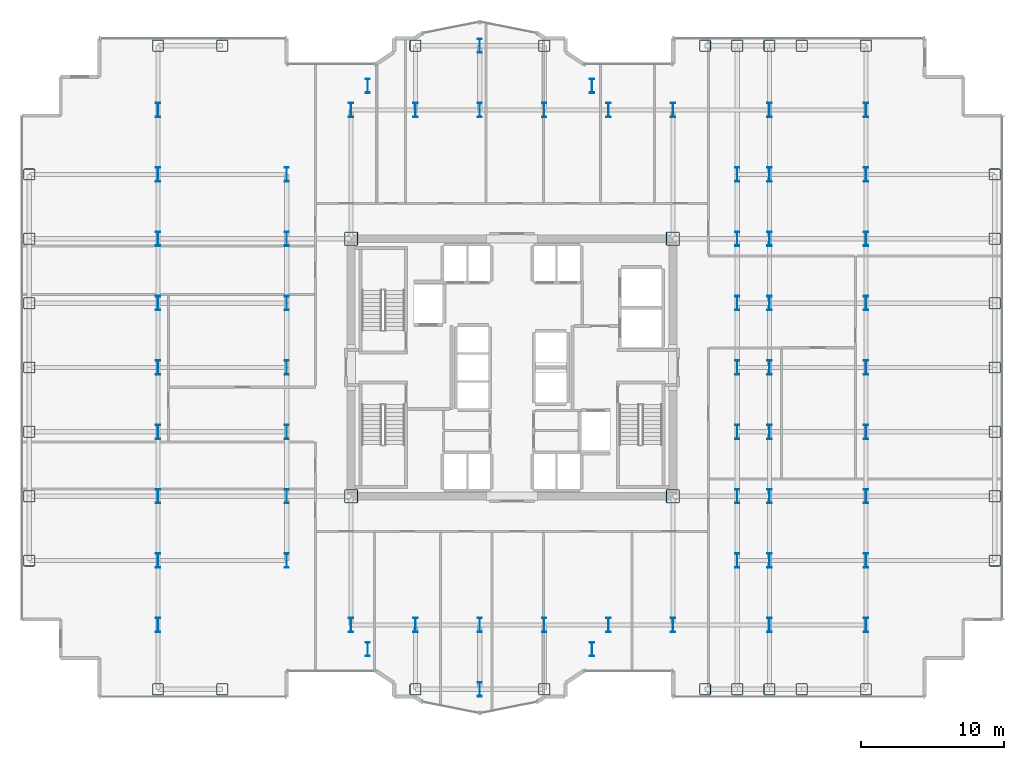
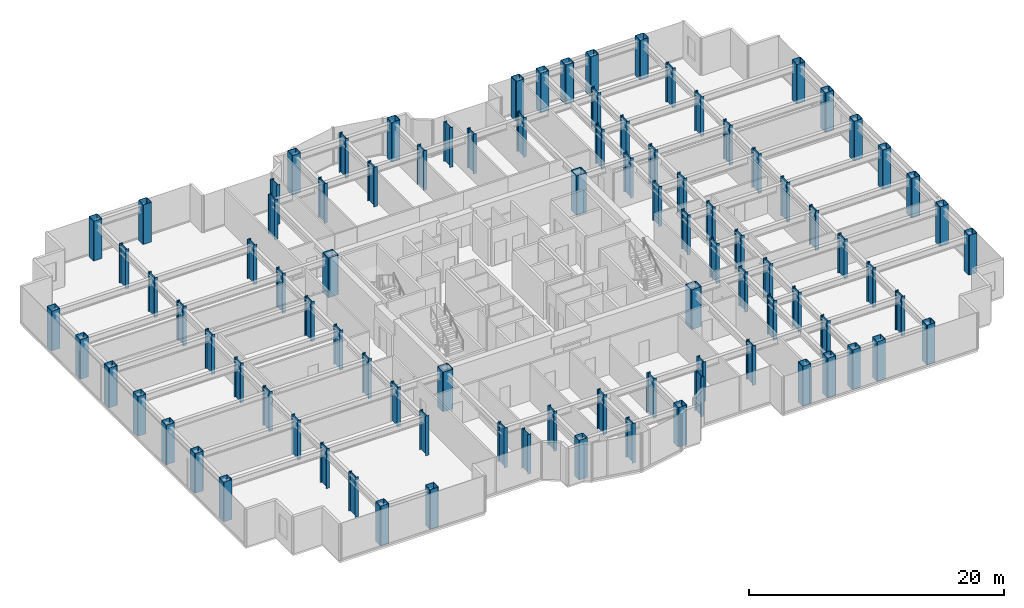
# One storey, part 1 of 26: 95 columns.
"""IFC4 building model written with IfcOpenShell, lengths in metres."""

from ifc_helpers import new_model, si_unit, direction, frame, origin, origin_2d, place, context, subcontext, project, spatial, hollow_rectangle, i_section, extrude, source, transform, mapped, material, material_profile, profile_set, type_object, element, save


model = new_model("IFC4")

# Units and contexts
model_context = context("Model", 3, precision=1e-05, world=origin(), true_north=direction((0.0, 1.0)))
body_context = subcontext(model_context, "Body", "Model", "MODEL_VIEW")
ifc_project = project(units=[si_unit("LENGTHUNIT", "METRE"), si_unit("AREAUNIT", "SQUARE_METRE"), si_unit("VOLUMEUNIT", "CUBIC_METRE"), si_unit("PLANEANGLEUNIT", "RADIAN"), si_unit("MASSUNIT", "GRAM", prefix="KILO")], contexts=[model_context])

# Site, building, storey
site_placement = place(None, origin())
site = spatial("IfcSite", under=ifc_project, at=site_placement, CompositionType="ELEMENT")
building_placement = place(site_placement, origin())
building = spatial("IfcBuilding", under=site, at=building_placement, Name="Nefas-Gora Pilgrimage Tower", CompositionType="ELEMENT")
storey_placement = place(building_placement, frame((0.0, 0.0, 121.199951171875)))
storey = spatial("IfcBuildingStorey", under=building, at=storey_placement, Name="L29", CompositionType="ELEMENT", Elevation=121.199951171875)

# Columns
ifc_material = material(Name="Steel S460", Category="steel")
ifc_material_profile_1 = material_profile(ifc_material, i_section(OverallWidth=0.302001953125, OverallDepth=1.008056640625, WebThickness=0.02099609375, FlangeThickness=0.0400390625, FilletRadius=0.030029296875, at=origin_2d()), Name="HEM 1000")
ifc_profile_set_1 = profile_set([ifc_material_profile_1], Name="Steel S460")
column_type_1 = type_object("IfcColumnType", Name="COL-WEB-HEM1000", PredefinedType="COLUMN", material=ifc_profile_set_1)
shared_shape_1 = source(origin(), body_context, "Body", "SweptSolid", [
    extrude(i_section(OverallWidth=0.302001953125, OverallDepth=1.008056640625, WebThickness=0.02099609375, FlangeThickness=0.0400390625, FilletRadius=0.030029296875, at=origin_2d()), origin(), (0.0, 0.0, 1.0), 3.800048828125),
])
for number, where, z_axis, x_axis, name in (
    (1, (-24.75, -18.0, 0.0), (0.0, 0.0, 1.0), (1.0, 0.0, 0.0), "L29 Tower Column CW-01.9"),
    (2, (-24.75, -13.5, 0.0), (0.0, 0.0, 1.0), (1.0, 0.0, 0.0), "L29 Tower Column CW-01.10"),
    (3, (-24.75, -9.0, 0.0), (0.0, 0.0, 1.0), (1.0, 0.0, 0.0), "L29 Tower Column CW-01.11"),
    (4, (-24.75, -4.5, 0.0), (0.0, 0.0, 1.0), (1.0, 0.0, 0.0), "L29 Tower Column CW-01.12"),
    (5, (-24.75, 0.0, 0.0), (0.0, 0.0, 1.0), (1.0, 0.0, 0.0), "L29 Tower Column CW-01.13"),
    (6, (-24.75, 4.5, 0.0), (0.0, 0.0, 1.0), (1.0, 0.0, 0.0), "L29 Tower Column CW-01.14"),
    (7, (-24.75, 9.0, 0.0), (0.0, 0.0, 1.0), (1.0, 0.0, 0.0), "L29 Tower Column CW-01.15"),
    (8, (-24.75, 13.5, 0.0), (0.0, 0.0, 1.0), (1.0, 0.0, 0.0), "L29 Tower Column CW-01.16"),
    (9, (-24.75, 18.0, 0.0), (0.0, 0.0, 1.0), (1.0, 0.0, 0.0), "L29 Tower Column CW-01.17"),
    (10, (-15.75, -13.5, 0.0), (0.0, 0.0, 1.0), (1.0, 0.0, 0.0), "L29 Tower Column CW-01.21"),
    (11, (-15.75, -9.0, 0.0), (0.0, 0.0, 1.0), (1.0, 0.0, 0.0), "L29 Tower Column CW-01.22"),
    (12, (-15.75, -4.5, 0.0), (0.0, 0.0, 1.0), (1.0, 0.0, 0.0), "L29 Tower Column CW-01.23"),
    (13, (-15.75, 0.0, 0.0), (0.0, 0.0, 1.0), (1.0, 0.0, 0.0), "L29 Tower Column CW-01.24"),
    (14, (-15.75, 4.5, 0.0), (0.0, 0.0, 1.0), (1.0, 0.0, 0.0), "L29 Tower Column CW-01.25"),
    (15, (-15.75, 9.0, 0.0), (0.0, 0.0, 1.0), (1.0, 0.0, 0.0), "L29 Tower Column CW-01.26"),
    (16, (-15.75, 13.5, 0.0), (0.0, 0.0, 1.0), (1.0, 0.0, 0.0), "L29 Tower Column CW-01.27"),
    (17, (-11.25, -18.0, 0.0), (0.0, 0.0, 1.0), (1.0, 0.0, 0.0), "L29 Tower Column CW-01.28"),
    (18, (-11.25, 18.0, 0.0), (0.0, 0.0, 1.0), (1.0, 0.0, 0.0), "L29 Tower Column CW-01.31"),
    (19, (-10.091064453125, -19.696044921875, 0.0), (0.0, 0.0, 1.0), (1.0, 0.0, 0.0), "L29 Tower Column CW-01.32"),
    (20, (-10.091064453125, 19.696044921875, 0.0), (0.0, 0.0, 1.0), (1.0, 0.0, 0.0), "L29 Tower Column CW-01.33"),
    (21, (-6.75, -18.0, 0.0), (0.0, 0.0, 1.0), (1.0, 0.0, 0.0), "L29 Tower Column CW-01.35"),
    (22, (-6.75, 18.0, 0.0), (0.0, 0.0, 1.0), (1.0, 0.0, 0.0), "L29 Tower Column CW-01.36"),
    (23, (-2.25, -22.5, 0.0), (0.0, 0.0, 1.0), (1.0, 0.0, 0.0), "L29 Tower Column CW-01.38"),
    (24, (-2.25, -18.0, 0.0), (0.0, 0.0, 1.0), (1.0, 0.0, 0.0), "L29 Tower Column CW-01.39"),
    (25, (-2.25, 18.0, 0.0), (0.0, 0.0, 1.0), (1.0, 0.0, 0.0), "L29 Tower Column CW-01.40"),
    (26, (-2.25, 22.5, 0.0), (0.0, 0.0, 1.0), (1.0, 0.0, 0.0), "L29 Tower Column CW-01.41"),
    (27, (2.25, -18.0, 0.0), (0.0, 0.0, 1.0), (1.0, 0.0, 0.0), "L29 Tower Column CW-01.43"),
    (28, (2.25, 18.0, 0.0), (0.0, 0.0, 1.0), (1.0, 0.0, 0.0), "L29 Tower Column CW-01.44"),
    (29, (5.591064453125, -19.696044921875, 0.0), (0.0, 0.0, 1.0), (1.0, 0.0, 0.0), "L29 Tower Column CW-01.46"),
    (30, (5.591064453125, 19.696044921875, 0.0), (0.0, 0.0, 1.0), (1.0, 0.0, 0.0), "L29 Tower Column CW-01.47"),
    (31, (6.75, -18.0, 0.0), (0.0, 0.0, 1.0), (1.0, 0.0, 0.0), "L29 Tower Column CW-01.48"),
    (32, (6.75, 18.0, 0.0), (0.0, 0.0, 1.0), (1.0, 0.0, 0.0), "L29 Tower Column CW-01.49"),
    (33, (11.25, -18.0, 0.0), (0.0, 0.0, 1.0), (1.0, 0.0, 0.0), "L29 Tower Column CW-01.50"),
    (34, (11.25, 18.0, 0.0), (0.0, 0.0, 1.0), (1.0, 0.0, 0.0), "L29 Tower Column CW-01.53"),
    (35, (15.75, -13.5, 0.0), (0.0, 0.0, 1.0), (1.0, 0.0, 0.0), "L29 Tower Column CW-01.57"),
    (36, (15.75, -9.0, 0.0), (0.0, 0.0, 1.0), (1.0, 0.0, 0.0), "L29 Tower Column CW-01.58"),
    (37, (15.75, -4.5, 0.0), (0.0, 0.0, 1.0), (1.0, 0.0, 0.0), "L29 Tower Column CW-01.59"),
    (38, (15.75, 0.0, 0.0), (0.0, 0.0, 1.0), (1.0, 0.0, 0.0), "L29 Tower Column CW-01.60"),
    (39, (15.75, 4.5, 0.0), (0.0, 0.0, 1.0), (1.0, 0.0, 0.0), "L29 Tower Column CW-01.61"),
    (40, (15.75, 9.0, 0.0), (0.0, 0.0, 1.0), (1.0, 0.0, 0.0), "L29 Tower Column CW-01.62"),
    (41, (15.75, 13.5, 0.0), (0.0, 0.0, 1.0), (1.0, 0.0, 0.0), "L29 Tower Column CW-01.63"),
    (42, (18.0, -18.0, 0.0), (0.0, 0.0, 1.0), (1.0, 0.0, 0.0), "L29 Tower Column CW-01.66"),
    (43, (18.0, -13.5, 0.0), (0.0, 0.0, 1.0), (1.0, 0.0, 0.0), "L29 Tower Column CW-01.67"),
    (44, (18.0, -9.0, 0.0), (0.0, 0.0, 1.0), (1.0, 0.0, 0.0), "L29 Tower Column CW-01.68"),
    (45, (18.0, -4.5, 0.0), (0.0, 0.0, 1.0), (1.0, 0.0, 0.0), "L29 Tower Column CW-01.69"),
    (46, (18.0, 0.0, 0.0), (0.0, 0.0, 1.0), (1.0, 0.0, 0.0), "L29 Tower Column CW-01.70"),
    (47, (18.0, 4.5, 0.0), (0.0, 0.0, 1.0), (1.0, 0.0, 0.0), "L29 Tower Column CW-01.71"),
    (48, (18.0, 9.0, 0.0), (0.0, 0.0, 1.0), (1.0, 0.0, 0.0), "L29 Tower Column CW-01.72"),
    (49, (18.0, 13.5, 0.0), (0.0, 0.0, 1.0), (1.0, 0.0, 0.0), "L29 Tower Column CW-01.73"),
    (50, (18.0, 18.0, 0.0), (0.0, 0.0, 1.0), (1.0, 0.0, 0.0), "L29 Tower Column CW-01.74"),
    (51, (24.75, -18.0, 0.0), (0.0, 0.0, 1.0), (1.0, 0.0, 0.0), "L29 Tower Column CW-01.79"),
    (52, (24.75, -13.5, 0.0), (0.0, 0.0, 1.0), (1.0, 0.0, 0.0), "L29 Tower Column CW-01.80"),
    (53, (24.75, -9.0, 0.0), (0.0, 0.0, 1.0), (1.0, 0.0, 0.0), "L29 Tower Column CW-01.81"),
    (54, (24.75, -4.5, 0.0), (0.0, 0.0, 1.0), (1.0, 0.0, 0.0), "L29 Tower Column CW-01.82"),
    (55, (24.75, 0.0, 0.0), (0.0, 0.0, 1.0), (1.0, 0.0, 0.0), "L29 Tower Column CW-01.83"),
    (56, (24.75, 4.5, 0.0), (0.0, 0.0, 1.0), (1.0, 0.0, 0.0), "L29 Tower Column CW-01.84"),
    (57, (24.75, 9.0, 0.0), (0.0, 0.0, 1.0), (1.0, 0.0, 0.0), "L29 Tower Column CW-01.85"),
    (58, (24.75, 13.5, 0.0), (0.0, 0.0, 1.0), (1.0, 0.0, 0.0), "L29 Tower Column CW-01.86"),
    (59, (24.75, 18.0, 0.0), (0.0, 0.0, 1.0), (1.0, 0.0, 0.0), "L29 Tower Column CW-01.87"),
):
    element("IfcColumn", number, at=place(storey_placement, frame(where, z_axis=z_axis, x_axis=x_axis)), inside=storey, type_object=column_type_1, Name=name, PredefinedType="COLUMN", context=body_context, shape_type="MappedRepresentation", body=[
        mapped(shared_shape_1, transform((0.0, 0.0, 0.0), x_axis=(1.0, 0.0, 0.0), y_axis=(0.0, 1.0, 0.0), z_axis=(0.0, 0.0, 1.0), scale=1.0)),
    ])
ifc_material_profile_2 = material_profile(ifc_material, hollow_rectangle(XDim=0.949951171875, YDim=0.949951171875, WallThickness=0.044921875, InnerFilletRadius=0.044921875, OuterFilletRadius=0.090087890625, at=origin_2d()), Name="BOX 950x950x45")
ifc_profile_set_2 = profile_set([ifc_material_profile_2], Name="Steel S460")
column_type_2 = type_object("IfcColumnType", Name="COL-CORE-950", PredefinedType="COLUMN", material=ifc_profile_set_2)
shared_shape_2 = source(origin(), body_context, "Body", "SweptSolid", [
    extrude(hollow_rectangle(XDim=0.949951171875, YDim=0.949951171875, WallThickness=0.044921875, InnerFilletRadius=0.044921875, OuterFilletRadius=0.090087890625, at=origin_2d()), origin(), (0.0, 0.0, 1.0), 3.800048828125),
])
for number, where, z_axis, x_axis, name in (
    (60, (-11.25, -9.0, 0.0), (0.0, 0.0, 1.0), (1.0, 0.0, 0.0), "L29 Tower Column CC-Z1.29"),
    (61, (-11.25, 9.0, 0.0), (0.0, 0.0, 1.0), (1.0, 0.0, 0.0), "L29 Tower Column CC-Z1.30"),
    (62, (11.25, -9.0, 0.0), (0.0, 0.0, 1.0), (1.0, 0.0, 0.0), "L29 Tower Column CC-Z1.51"),
    (63, (11.25, 9.0, 0.0), (0.0, 0.0, 1.0), (1.0, 0.0, 0.0), "L29 Tower Column CC-Z1.52"),
):
    element("IfcColumn", number, at=place(storey_placement, frame(where, z_axis=z_axis, x_axis=x_axis)), inside=storey, type_object=column_type_2, Name=name, PredefinedType="COLUMN", context=body_context, shape_type="MappedRepresentation", body=[
        mapped(shared_shape_2, transform((0.0, 0.0, 0.0), x_axis=(1.0, 0.0, 0.0), y_axis=(0.0, 1.0, 0.0), z_axis=(0.0, 0.0, 1.0), scale=1.0)),
    ])
ifc_material_profile_3 = material_profile(ifc_material, hollow_rectangle(XDim=0.800048828125, YDim=0.800048828125, WallThickness=0.0400390625, InnerFilletRadius=0.0400390625, OuterFilletRadius=0.080078125, at=origin_2d()), Name="BOX 800x800x40")
ifc_profile_set_3 = profile_set([ifc_material_profile_3], Name="Steel S460")
column_type_3 = type_object("IfcColumnType", Name="COL-TUBE-800", PredefinedType="COLUMN", material=ifc_profile_set_3)
shared_shape_3 = source(origin(), body_context, "Body", "SweptSolid", [
    extrude(hollow_rectangle(XDim=0.800048828125, YDim=0.800048828125, WallThickness=0.0400390625, InnerFilletRadius=0.0400390625, OuterFilletRadius=0.080078125, at=origin_2d()), origin(), (0.0, 0.0, 1.0), 3.800048828125),
])
for number, where, z_axis, x_axis, name in (
    (64, (-33.75, -13.5, 0.0), (0.0, 0.0, 1.0), (1.0, 0.0, 0.0), "L29 Tower Column C-Z2.1"),
    (65, (-33.75, -9.0, 0.0), (0.0, 0.0, 1.0), (1.0, 0.0, 0.0), "L29 Tower Column C-Z2.2"),
    (66, (-33.75, -4.5, 0.0), (0.0, 0.0, 1.0), (1.0, 0.0, 0.0), "L29 Tower Column C-Z2.3"),
    (67, (-33.75, 0.0, 0.0), (0.0, 0.0, 1.0), (1.0, 0.0, 0.0), "L29 Tower Column C-Z2.4"),
    (68, (-33.75, 4.5, 0.0), (0.0, 0.0, 1.0), (1.0, 0.0, 0.0), "L29 Tower Column C-Z2.5"),
    (69, (-33.75, 9.0, 0.0), (0.0, 0.0, 1.0), (1.0, 0.0, 0.0), "L29 Tower Column C-Z2.6"),
    (70, (-33.75, 13.5, 0.0), (0.0, 0.0, 1.0), (1.0, 0.0, 0.0), "L29 Tower Column C-Z2.7"),
    (71, (-24.75, -22.5, 0.0), (0.0, 0.0, 1.0), (1.0, 0.0, 0.0), "L29 Tower Column C-Z2.8"),
    (72, (-24.75, 22.5, 0.0), (0.0, 0.0, 1.0), (1.0, 0.0, 0.0), "L29 Tower Column C-Z2.18"),
    (73, (-20.25, -22.5, 0.0), (0.0, 0.0, 1.0), (1.0, 0.0, 0.0), "L29 Tower Column C-Z2.19"),
    (74, (-20.25, 22.5, 0.0), (0.0, 0.0, 1.0), (1.0, 0.0, 0.0), "L29 Tower Column C-Z2.20"),
    (75, (-6.75, -22.5, 0.0), (0.0, 0.0, 1.0), (1.0, 0.0, 0.0), "L29 Tower Column C-Z2.34"),
    (76, (-6.75, 22.5, 0.0), (0.0, 0.0, 1.0), (1.0, 0.0, 0.0), "L29 Tower Column C-Z2.37"),
    (77, (2.25, -22.5, 0.0), (0.0, 0.0, 1.0), (1.0, 0.0, 0.0), "L29 Tower Column C-Z2.42"),
    (78, (2.25, 22.5, 0.0), (0.0, 0.0, 1.0), (1.0, 0.0, 0.0), "L29 Tower Column C-Z2.45"),
    (79, (13.5, -22.5, 0.0), (0.0, 0.0, 1.0), (1.0, 0.0, 0.0), "L29 Tower Column C-Z2.54"),
    (80, (13.5, 22.5, 0.0), (0.0, 0.0, 1.0), (1.0, 0.0, 0.0), "L29 Tower Column C-Z2.55"),
    (81, (15.75, -22.5, 0.0), (0.0, 0.0, 1.0), (1.0, 0.0, 0.0), "L29 Tower Column C-Z2.56"),
    (82, (15.75, 22.5, 0.0), (0.0, 0.0, 1.0), (1.0, 0.0, 0.0), "L29 Tower Column C-Z2.64"),
    (83, (18.0, -22.5, 0.0), (0.0, 0.0, 1.0), (1.0, 0.0, 0.0), "L29 Tower Column C-Z2.65"),
    (84, (18.0, 22.5, 0.0), (0.0, 0.0, 1.0), (1.0, 0.0, 0.0), "L29 Tower Column C-Z2.75"),
    (85, (20.25, -22.5, 0.0), (0.0, 0.0, 1.0), (1.0, 0.0, 0.0), "L29 Tower Column C-Z2.76"),
    (86, (20.25, 22.5, 0.0), (0.0, 0.0, 1.0), (1.0, 0.0, 0.0), "L29 Tower Column C-Z2.77"),
    (87, (24.75, -22.5, 0.0), (0.0, 0.0, 1.0), (1.0, 0.0, 0.0), "L29 Tower Column C-Z2.78"),
    (88, (24.75, 22.5, 0.0), (0.0, 0.0, 1.0), (1.0, 0.0, 0.0), "L29 Tower Column C-Z2.88"),
    (89, (33.75, -13.5, 0.0), (0.0, 0.0, 1.0), (1.0, 0.0, 0.0), "L29 Tower Column C-Z2.89"),
    (90, (33.75, -9.0, 0.0), (0.0, 0.0, 1.0), (1.0, 0.0, 0.0), "L29 Tower Column C-Z2.90"),
    (91, (33.75, -4.5, 0.0), (0.0, 0.0, 1.0), (1.0, 0.0, 0.0), "L29 Tower Column C-Z2.91"),
    (92, (33.75, 0.0, 0.0), (0.0, 0.0, 1.0), (1.0, 0.0, 0.0), "L29 Tower Column C-Z2.92"),
    (93, (33.75, 4.5, 0.0), (0.0, 0.0, 1.0), (1.0, 0.0, 0.0), "L29 Tower Column C-Z2.93"),
    (94, (33.75, 9.0, 0.0), (0.0, 0.0, 1.0), (1.0, 0.0, 0.0), "L29 Tower Column C-Z2.94"),
    (95, (33.75, 13.5, 0.0), (0.0, 0.0, 1.0), (1.0, 0.0, 0.0), "L29 Tower Column C-Z2.95"),
):
    element("IfcColumn", number, at=place(storey_placement, frame(where, z_axis=z_axis, x_axis=x_axis)), inside=storey, type_object=column_type_3, Name=name, PredefinedType="COLUMN", context=body_context, shape_type="MappedRepresentation", body=[
        mapped(shared_shape_3, transform((0.0, 0.0, 0.0), x_axis=(1.0, 0.0, 0.0), y_axis=(0.0, 1.0, 0.0), z_axis=(0.0, 0.0, 1.0), scale=1.0)),
    ])

save(model, "model.ifc")
